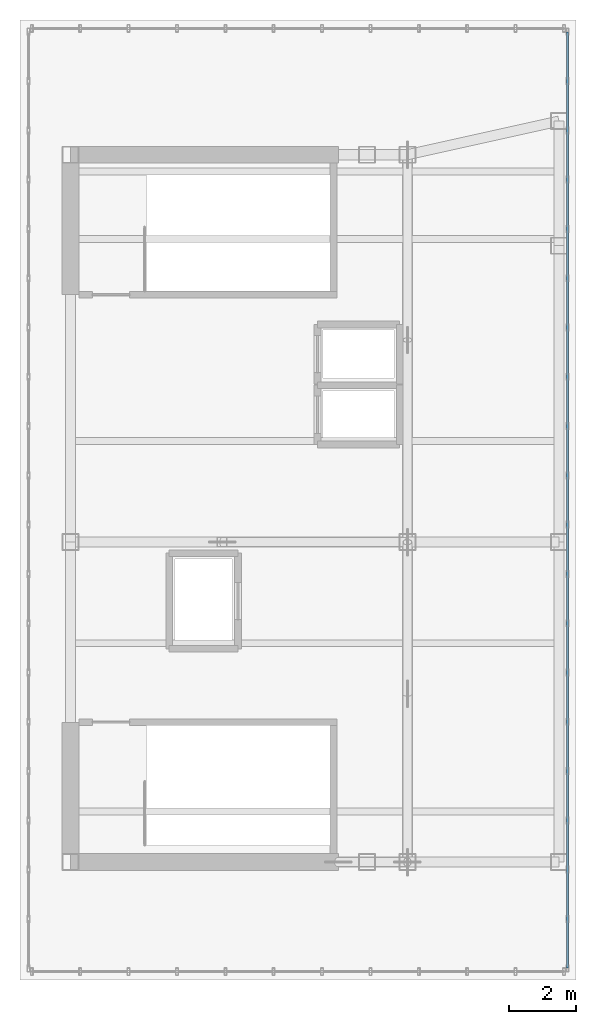
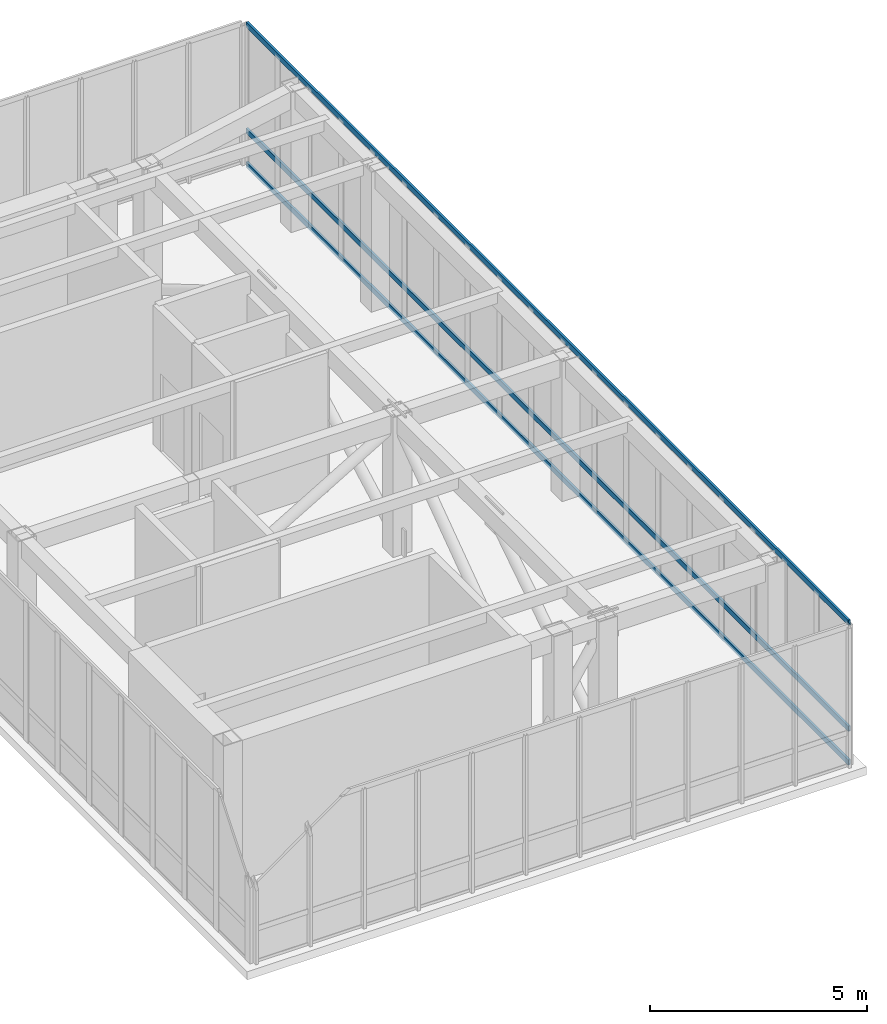
# One storey, part 6 of 13: 3 members, 1 element without a shape of its own.
"""IFC4 building model written with IfcOpenShell, lengths in metres."""

from ifc_helpers import new_model, si_unit, direction, frame, origin, origin_2d, place, context, subcontext, project, spatial, hollow_rectangle, extrude, source, transform, mapped, material, layer, layer_set, material_profile, profile_set, type_object, element, aggregate, save


model = new_model("IFC4")

# Units and contexts
model_context = context("Model", 3, precision=1e-05, world=origin(), true_north=direction((0.0, 1.0)))
body_context = subcontext(model_context, "Body", "Model", "MODEL_VIEW")
ifc_project = project(units=[si_unit("LENGTHUNIT", "METRE"), si_unit("AREAUNIT", "SQUARE_METRE"), si_unit("VOLUMEUNIT", "CUBIC_METRE"), si_unit("PLANEANGLEUNIT", "RADIAN"), si_unit("MASSUNIT", "GRAM", prefix="KILO")], contexts=[model_context])

# Site, building, storey
site_placement = place(None, origin())
site = spatial("IfcSite", under=ifc_project, at=site_placement, CompositionType="ELEMENT")
building_placement = place(site_placement, origin())
building = spatial("IfcBuilding", under=site, at=building_placement, Name="Kharzan Plaza Tower", CompositionType="ELEMENT")
storey_placement = place(building_placement, frame((0.0, 0.0, 298.199951171875)))
storey = spatial("IfcBuildingStorey", under=building, at=storey_placement, Name="L80-CROWN", CompositionType="ELEMENT", Elevation=298.199951171875)

# Curtain wall, members
ifc_material_1 = material(Name="Unitised Bronze-Anodized Aluminium and Low-E Glass", Category="aluminium")
ifc_layer = layer(ifc_material_1, 0.199951171875)
ifc_layer_set = layer_set([ifc_layer], Name="Unitised Bronze-Anodized Aluminium and Low-E Glass")
curtain_wall_type = type_object("IfcCurtainWallType", Name="CW-LANTERN-6", PredefinedType="NOTDEFINED", material=ifc_layer_set)
curtain_wall_placement = place(storey_placement, origin())
curtain_wall = element("IfcCurtainWall", 1, at=curtain_wall_placement, inside=storey, type_object=curtain_wall_type, Name="L80-CROWN Lantern Crown Illuminated Curtain Wall 2", PredefinedType="NOTDEFINED")
ifc_material_2 = material(Name="Anodized Bronze Aluminium", Category="aluminium")
ifc_material_profile = material_profile(ifc_material_2, hollow_rectangle(XDim=0.06005859375, YDim=0.14990234375, WallThickness=0.00341796875, at=origin_2d()), Name="ALU-T150x60x3.5")
ifc_profile_set = profile_set([ifc_material_profile], Name="Anodized Bronze Aluminium")
member_type = type_object("IfcMemberType", Name="MEM-CW-TRN150", PredefinedType="USERDEFINED", material=ifc_profile_set)
shared_shape = source(origin(), body_context, "Body", "SweptSolid", [
    extrude(hollow_rectangle(XDim=0.06005859375, YDim=0.14990234375, WallThickness=0.00341796875, at=origin_2d()), origin(), (0.0, 0.0, 1.0), 27.7998046875),
])
member_1_placement = place(storey_placement, frame((19.25, 5.35009765625, 0.0), z_axis=(0.0, 1.0, 0.0), x_axis=(-1.0, 0.0, 0.0)))
member_1 = element("IfcMember", 2, at=member_1_placement, type_object=member_type, Name="L80-CROWN Curtain-Wall Transom 1", ObjectType="TRANSOM", PredefinedType="USERDEFINED", context=body_context, shape_type="MappedRepresentation", body=[
    mapped(shared_shape, transform((0.0, 0.0, 0.0), x_axis=(1.0, 0.0, 0.0), y_axis=(0.0, 1.0, 0.0), z_axis=(0.0, 0.0, 1.0))),
])
member_2_placement = place(storey_placement, frame((19.25, 5.35009765625, 0.949951171875), z_axis=(0.0, 1.0, 0.0), x_axis=(-1.0, 0.0, 0.0)))
member_2 = element("IfcMember", 3, at=member_2_placement, type_object=member_type, Name="L80-CROWN Curtain-Wall Transom 2", ObjectType="TRANSOM", PredefinedType="USERDEFINED", context=body_context, shape_type="MappedRepresentation", body=[
    mapped(shared_shape, transform((0.0, 0.0, 0.0), x_axis=(1.0, 0.0, 0.0), y_axis=(0.0, 1.0, 0.0), z_axis=(0.0, 0.0, 1.0))),
])
member_3_placement = place(storey_placement, frame((19.25, 5.35009765625, 3.93994140625), z_axis=(0.0, 1.0, 0.0), x_axis=(-1.0, 0.0, 0.0)))
member_3 = element("IfcMember", 4, at=member_3_placement, type_object=member_type, Name="L80-CROWN Curtain-Wall Transom 3", ObjectType="TRANSOM", PredefinedType="USERDEFINED", context=body_context, shape_type="MappedRepresentation", body=[
    mapped(shared_shape, transform((0.0, 0.0, 0.0), x_axis=(1.0, 0.0, 0.0), y_axis=(0.0, 1.0, 0.0), z_axis=(0.0, 0.0, 1.0))),
])
aggregate(curtain_wall, [member_1, member_2, member_3])

save(model, "model.ifc")
